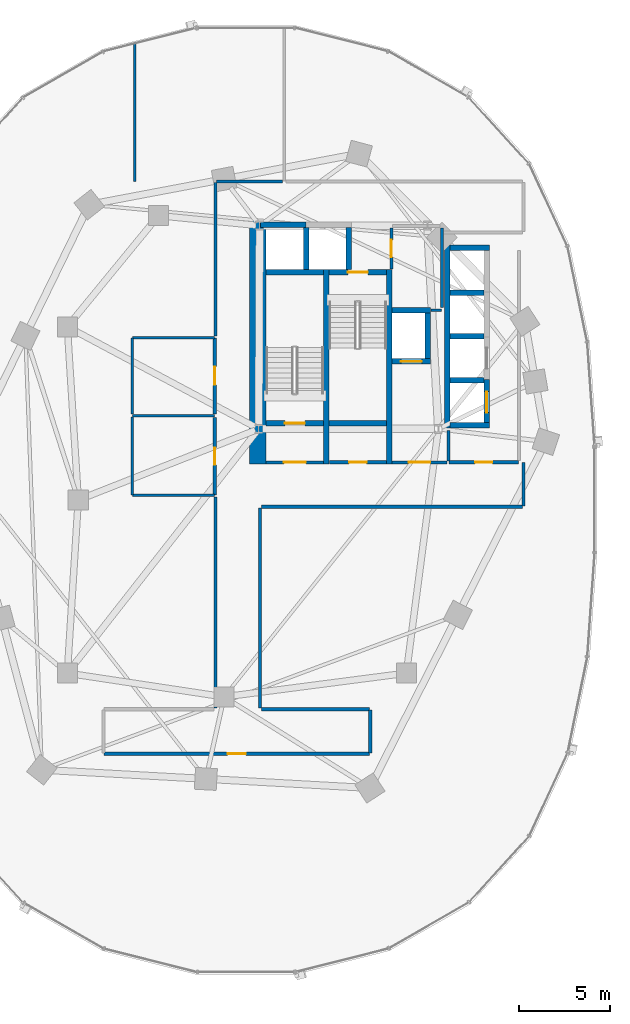
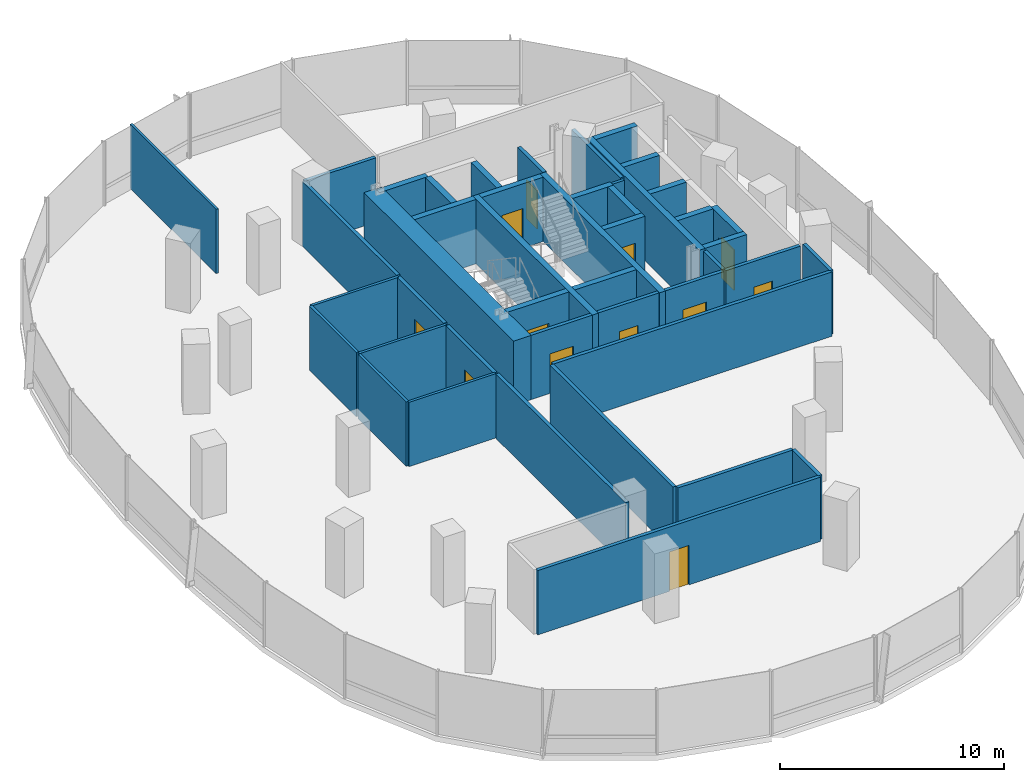
# One storey, part 11 of 21: 45 walls, 12 doors, 12 openings.
"""IFC4 building model written with IfcOpenShell, lengths in metres."""

from ifc_helpers import new_model, si_unit, direction, frame, frame_2d, origin, place, context, subcontext, project, spatial, rectangle, extrude, material, layer, layer_set, type_object, element, fill, save


model = new_model("IFC4")

# Units and contexts
model_context = context("Model", 3, precision=1e-05, world=origin(), true_north=direction((0.0, 1.0)))
body_context = subcontext(model_context, "Body", "Model", "MODEL_VIEW")
ifc_project = project(units=[si_unit("LENGTHUNIT", "METRE"), si_unit("AREAUNIT", "SQUARE_METRE"), si_unit("VOLUMEUNIT", "CUBIC_METRE"), si_unit("PLANEANGLEUNIT", "RADIAN"), si_unit("MASSUNIT", "GRAM", prefix="KILO"), si_unit("THERMODYNAMICTEMPERATUREUNIT", "KELVIN"), si_unit("POWERUNIT", "WATT")], contexts=[model_context])

# Site, building, storey
site_placement = place(None, origin())
site = spatial("IfcSite", under=ifc_project, at=site_placement, CompositionType="ELEMENT")
building_placement = place(site_placement, origin())
building = spatial("IfcBuilding", under=site, at=building_placement, Name="Cundina Bronze Exchange", CompositionType="ELEMENT")
storey_placement = place(building_placement, frame((0.0, 0.0, 69.60009765625)))
storey = spatial("IfcBuildingStorey", under=building, at=storey_placement, Name="L17", CompositionType="ELEMENT", Elevation=69.60009765625)

# Wall
ifc_material_1 = material(Name="Gypsum Fireboard Partition EI120")
ifc_layer_1 = layer(ifc_material_1, 0.179931640625, Name="Gypsum Fireboard Partition EI120")
ifc_layer_set_1 = layer_set([ifc_layer_1], Name="Gypsum Fireboard Partition EI120")
wall_type_1 = type_object("IfcWallType", Name="WL-COR-180", PredefinedType="PARTITIONING", material=ifc_layer_set_1)
wall_1_placement = place(storey_placement, frame((-20.889892578125, 2.14990234375, 0.0), z_axis=(0.0, 0.0, 1.0), x_axis=(0.0, 1.0, 0.0)))
element("IfcWall", 1, at=wall_1_placement, inside=storey, type_object=wall_type_1, Name="L17 W Firefighting Lobby Side Wall", PredefinedType="PARTITIONING", context=body_context, shape_type="SweptSolid", body=[
    extrude(rectangle(XDim=1.650146484375, YDim=0.179931640625, at=frame_2d((0.8251953125, 0.0))), origin(), (0.0, 0.0, 1.0), 3.5),
])

# Wall, opening, door
wall_2_placement = place(storey_placement, frame((-23.97998046875, 2.06005859375, 0.0), z_axis=(0.0, 0.0, 1.0), x_axis=(1.0, 0.0, 0.0)))
wall_2 = element("IfcWall", 2, at=wall_2_placement, inside=storey, type_object=wall_type_1, Name="L17 W Firefighting Lobby Exit Wall", PredefinedType="PARTITIONING", context=body_context, shape_type="SweptSolid", body=[
    extrude(rectangle(XDim=3.0, YDim=0.179931640625, at=frame_2d((1.5, 0.0))), origin(), (0.0, 0.0, 1.0), 3.5),
])
opening_1_placement = place(wall_2_placement, frame((0.89990234375, 0.0, 0.0)))
opening_1 = element("IfcOpeningElement", 3, at=opening_1_placement, cuts=wall_2, Name="Opening DF-01", PredefinedType="OPENING", context=body_context, shape_type="SweptSolid", body=[
    extrude(rectangle(XDim=1.199951171875, YDim=2.14990234375, at=frame_2d((0.60009765625, 1.074951171875))), frame((0.0, 0.099853515625, 0.0), z_axis=(0.0, -1.0, 0.0), x_axis=(1.0, 0.0, 0.0)), (0.0, 0.0, 1.0), 0.199951171875),
])
ifc_material_2 = material(Name="Steel ASTM A36 Painted", Category="steel")
door_type_1 = type_object("IfcDoorType", Name="DR-FFL-1200", OperationType="NOTDEFINED", PredefinedType="DOOR", material=ifc_material_2)
door_1_placement = place(opening_1_placement, origin())
door_1 = element("IfcDoor", 4, at=door_1_placement, inside=storey, type_object=door_type_1, Name="L17 W Firefighting Lobby Door", OperationType="SINGLE_SWING_RIGHT", OverallHeight=2.14990234375, OverallWidth=1.199951171875, PredefinedType="DOOR", context=body_context, shape_type="SweptSolid", body=[
    extrude(rectangle(XDim=1.199951171875, YDim=2.14990234375, at=frame_2d((0.60009765625, 1.074951171875))), frame((0.0, 0.02490234375, 0.0), z_axis=(0.0, -1.0, 0.0), x_axis=(1.0, 0.0, 0.0)), (0.0, 0.0, 1.0), 0.050048828125),
])
fill(opening_1, door_1)

wall_3_placement = place(storey_placement, frame((-30.89990234375, 2.06005859375, 0.0), z_axis=(0.0, 0.0, 1.0), x_axis=(1.0, 0.0, 0.0)))
wall_3 = element("IfcWall", 5, at=wall_3_placement, inside=storey, type_object=wall_type_1, Name="L17 W Stair Vestibule Exit Wall", PredefinedType="PARTITIONING", context=body_context, shape_type="SweptSolid", body=[
    extrude(rectangle(XDim=3.159912109375, YDim=0.179931640625, at=frame_2d((1.580078125, 0.0))), origin(), (0.0, 0.0, 1.0), 3.5),
])
opening_2_placement = place(wall_3_placement, frame((0.97998046875, 0.0, 0.0)))
opening_2 = element("IfcOpeningElement", 6, at=opening_2_placement, cuts=wall_3, Name="Opening DF-01", PredefinedType="OPENING", context=body_context, shape_type="SweptSolid", body=[
    extrude(rectangle(XDim=1.199951171875, YDim=2.14990234375, at=frame_2d((0.60009765625, 1.074951171875))), frame((0.0, 0.099853515625, 0.0), z_axis=(0.0, -1.0, 0.0), x_axis=(1.0, 0.0, 0.0)), (0.0, 0.0, 1.0), 0.199951171875),
])
door_2_placement = place(opening_2_placement, origin())
door_2 = element("IfcDoor", 7, at=door_2_placement, inside=storey, type_object=door_type_1, Name="L17 W Stair Vestibule Door", OperationType="SINGLE_SWING_LEFT", OverallHeight=2.14990234375, OverallWidth=1.199951171875, PredefinedType="DOOR", context=body_context, shape_type="SweptSolid", body=[
    extrude(rectangle(XDim=1.199951171875, YDim=2.14990234375, at=frame_2d((0.60009765625, 1.074951171875))), frame((0.0, 0.02490234375, 0.0), z_axis=(0.0, -1.0, 0.0), x_axis=(1.0, 0.0, 0.0)), (0.0, 0.0, 1.0), 0.050048828125),
])
fill(opening_2, door_2)

wall_4_placement = place(storey_placement, frame((-20.8701171875, 2.070068359375, 0.0), z_axis=(0.0, 0.0, 1.0), x_axis=(1.0, 0.0, 0.0)))
wall_4 = element("IfcWall", 8, at=wall_4_placement, inside=storey, type_object=wall_type_1, Name="L17 Interior Partition 002", PredefinedType="PARTITIONING", context=body_context, shape_type="SweptSolid", body=[
    extrude(rectangle(XDim=3.830078125, YDim=0.179931640625, at=frame_2d((1.9150390625, 0.0))), origin(), (0.0, 0.0, 1.0), 3.5),
])
opening_3_placement = place(wall_4_placement, frame((1.43994140625, 0.0, 0.0)))
opening_3 = element("IfcOpeningElement", 9, at=opening_3_placement, cuts=wall_4, Name="Opening DW-01", PredefinedType="OPENING", context=body_context, shape_type="SweptSolid", body=[
    extrude(rectangle(XDim=0.949951171875, YDim=2.10009765625, at=frame_2d((0.47509765625, 1.050048828125))), frame((0.0, 0.099853515625, 0.0), z_axis=(0.0, -1.0, 0.0), x_axis=(1.0, 0.0, 0.0)), (0.0, 0.0, 1.0), 0.199951171875),
])
ifc_material_3 = material(Name="Solid Andean Oak Timber Grade A", Category="wood")
door_type_2 = type_object("IfcDoorType", Name="DR-WC-950", OperationType="NOTDEFINED", PredefinedType="DOOR", material=ifc_material_3)
door_3_placement = place(opening_3_placement, origin())
door_3 = element("IfcDoor", 10, at=door_3_placement, inside=storey, type_object=door_type_2, Name="L17 Interior Door 002", OperationType="SINGLE_SWING_RIGHT", OverallHeight=2.10009765625, OverallWidth=0.949951171875, PredefinedType="DOOR", context=body_context, shape_type="SweptSolid", body=[
    extrude(rectangle(XDim=0.949951171875, YDim=2.10009765625, at=frame_2d((0.47509765625, 1.050048828125))), frame((0.0, 0.02490234375, 0.0), z_axis=(0.0, -1.0, 0.0), x_axis=(1.0, 0.0, 0.0)), (0.0, 0.0, 1.0), 0.050048828125),
])
fill(opening_3, door_3)

# Wall
wall_5_placement = place(storey_placement, frame((-21.25, 10.570068359375, 0.0), z_axis=(0.0, 0.0, 1.0), x_axis=(0.0, 1.0, 0.0)))
element("IfcWall", 11, at=wall_5_placement, inside=storey, type_object=wall_type_1, Name="L17 Interior Partition 004", PredefinedType="PARTITIONING", context=body_context, shape_type="SweptSolid", body=[
    extrude(rectangle(XDim=4.35986328125, YDim=0.179931640625, at=frame_2d((2.179931640625, 0.0))), origin(), (0.0, 0.0, 1.0), 3.5),
])

# Wall, opening, door
wall_6_placement = place(storey_placement, frame((-27.419921875, 2.070068359375, 0.0), z_axis=(0.0, 0.0, 1.0), x_axis=(1.0, 0.0, 0.0)))
wall_6 = element("IfcWall", 12, at=wall_6_placement, inside=storey, type_object=wall_type_1, Name="L17 Interior Partition 006", PredefinedType="PARTITIONING", context=body_context, shape_type="SweptSolid", body=[
    extrude(rectangle(XDim=3.119873046875, YDim=0.179931640625, at=frame_2d((1.56005859375, 0.0))), origin(), (0.0, 0.0, 1.0), 3.5),
])
opening_4_placement = place(wall_6_placement, frame((1.0849609375, 0.0, 0.0)))
opening_4 = element("IfcOpeningElement", 13, at=opening_4_placement, cuts=wall_6, Name="Opening DW-01", PredefinedType="OPENING", context=body_context, shape_type="SweptSolid", body=[
    extrude(rectangle(XDim=0.949951171875, YDim=2.10009765625, at=frame_2d((0.47509765625, 1.050048828125))), frame((0.0, 0.099853515625, 0.0), z_axis=(0.0, -1.0, 0.0), x_axis=(1.0, 0.0, 0.0)), (0.0, 0.0, 1.0), 0.199951171875),
])
door_4_placement = place(opening_4_placement, origin())
door_4 = element("IfcDoor", 14, at=door_4_placement, inside=storey, type_object=door_type_2, Name="L17 Interior Door 006", OperationType="SINGLE_SWING_RIGHT", OverallHeight=2.10009765625, OverallWidth=0.949951171875, PredefinedType="DOOR", context=body_context, shape_type="SweptSolid", body=[
    extrude(rectangle(XDim=0.949951171875, YDim=2.10009765625, at=frame_2d((0.47509765625, 1.050048828125))), frame((0.0, 0.02490234375, 0.0), z_axis=(0.0, -1.0, 0.0), x_axis=(1.0, 0.0, 0.0)), (0.0, 0.0, 1.0), 0.050048828125),
])
fill(opening_4, door_4)

wall_7_placement = place(storey_placement, frame((-24.02001953125, 12.669921875, 0.0), z_axis=(0.0, 0.0, 1.0), x_axis=(0.0, 1.0, 0.0)))
wall_7 = element("IfcWall", 15, at=wall_7_placement, inside=storey, type_object=wall_type_1, Name="L17 Interior Partition 007", PredefinedType="PARTITIONING", context=body_context, shape_type="SweptSolid", body=[
    extrude(rectangle(XDim=2.260009765625, YDim=0.179931640625, at=frame_2d((1.1298828125, 0.0))), origin(), (0.0, 0.0, 1.0), 3.5),
])
opening_5_placement = place(wall_7_placement, frame((0.655029296875, 0.0, 0.0)))
opening_5 = element("IfcOpeningElement", 16, at=opening_5_placement, cuts=wall_7, Name="Opening DW-01", PredefinedType="OPENING", context=body_context, shape_type="SweptSolid", body=[
    extrude(rectangle(XDim=0.949951171875, YDim=2.10009765625, at=frame_2d((0.47509765625, 1.050048828125))), frame((0.0, 0.099853515625, 0.0), z_axis=(0.0, -1.0, 0.0), x_axis=(1.0, 0.0, 0.0)), (0.0, 0.0, 1.0), 0.199951171875),
])
door_5_placement = place(opening_5_placement, origin())
door_5 = element("IfcDoor", 17, at=door_5_placement, inside=storey, type_object=door_type_2, Name="L17 Interior Door 007", OperationType="SINGLE_SWING_RIGHT", OverallHeight=2.10009765625, OverallWidth=0.949951171875, PredefinedType="DOOR", context=body_context, shape_type="SweptSolid", body=[
    extrude(rectangle(XDim=0.949951171875, YDim=2.10009765625, at=frame_2d((0.47509765625, 1.050048828125))), frame((0.0, 0.02490234375, 0.0), z_axis=(0.0, -1.0, 0.0), x_axis=(1.0, 0.0, 0.0)), (0.0, 0.0, 1.0), 0.050048828125),
])
fill(opening_5, door_5)

wall_8_placement = place(storey_placement, frame((-33.719970703125, 0.27001953125, 0.0), z_axis=(0.0, 0.0, 1.0), x_axis=(0.0, 1.0, 0.0)))
wall_8 = element("IfcWall", 18, at=wall_8_placement, inside=storey, type_object=wall_type_1, Name="L17 Interior Partition 013", PredefinedType="PARTITIONING", context=body_context, shape_type="SweptSolid", body=[
    extrude(rectangle(XDim=4.260009765625, YDim=0.179931640625, at=frame_2d((2.1298828125, 0.0))), origin(), (0.0, 0.0, 1.0), 3.5),
])
opening_6_placement = place(wall_8_placement, frame((1.655029296875, 0.0, 0.0)))
opening_6 = element("IfcOpeningElement", 19, at=opening_6_placement, cuts=wall_8, Name="Opening DW-01", PredefinedType="OPENING", context=body_context, shape_type="SweptSolid", body=[
    extrude(rectangle(XDim=0.949951171875, YDim=2.10009765625, at=frame_2d((0.47509765625, 1.050048828125))), frame((0.0, 0.099853515625, 0.0), z_axis=(0.0, -1.0, 0.0), x_axis=(1.0, 0.0, 0.0)), (0.0, 0.0, 1.0), 0.199951171875),
])
door_6_placement = place(opening_6_placement, origin())
door_6 = element("IfcDoor", 20, at=door_6_placement, inside=storey, type_object=door_type_2, Name="L17 Interior Door 013", OperationType="SINGLE_SWING_RIGHT", OverallHeight=2.10009765625, OverallWidth=0.949951171875, PredefinedType="DOOR", context=body_context, shape_type="SweptSolid", body=[
    extrude(rectangle(XDim=0.949951171875, YDim=2.10009765625, at=frame_2d((0.47509765625, 1.050048828125))), frame((0.0, 0.02490234375, 0.0), z_axis=(0.0, -1.0, 0.0), x_axis=(1.0, 0.0, 0.0)), (0.0, 0.0, 1.0), 0.050048828125),
])
fill(opening_6, door_6)

wall_9_placement = place(storey_placement, frame((-33.719970703125, 4.72998046875, 0.0), z_axis=(0.0, 0.0, 1.0), x_axis=(0.0, 1.0, 0.0)))
wall_9 = element("IfcWall", 21, at=wall_9_placement, inside=storey, type_object=wall_type_1, Name="L17 Interior Partition 014", PredefinedType="PARTITIONING", context=body_context, shape_type="SweptSolid", body=[
    extrude(rectangle(XDim=4.159912109375, YDim=0.179931640625, at=frame_2d((2.080078125, 0.0))), origin(), (0.0, 0.0, 1.0), 3.5),
])
opening_7_placement = place(wall_9_placement, frame((1.580078125, 0.0, 0.0)))
opening_7 = element("IfcOpeningElement", 22, at=opening_7_placement, cuts=wall_9, Name="Opening DO-01", PredefinedType="OPENING", context=body_context, shape_type="SweptSolid", body=[
    extrude(rectangle(XDim=1.0, YDim=2.14990234375, at=frame_2d((0.5, 1.074951171875))), frame((0.0, 0.099853515625, 0.0), z_axis=(0.0, -1.0, 0.0), x_axis=(1.0, 0.0, 0.0)), (0.0, 0.0, 1.0), 0.199951171875),
])
door_type_3 = type_object("IfcDoorType", Name="DR-OFF-1000", OperationType="NOTDEFINED", PredefinedType="DOOR", material=ifc_material_3)
door_7_placement = place(opening_7_placement, origin())
door_7 = element("IfcDoor", 23, at=door_7_placement, inside=storey, type_object=door_type_3, Name="L17 Interior Door 014", OperationType="SINGLE_SWING_RIGHT", OverallHeight=2.14990234375, OverallWidth=1.0, PredefinedType="DOOR", context=body_context, shape_type="SweptSolid", body=[
    extrude(rectangle(XDim=1.0, YDim=2.14990234375, at=frame_2d((0.5, 1.074951171875))), frame((0.0, 0.02490234375, 0.0), z_axis=(0.0, -1.0, 0.0), x_axis=(1.0, 0.0, 0.0)), (0.0, 0.0, 1.0), 0.050048828125),
])
fill(opening_7, door_7)

wall_10_placement = place(storey_placement, frame((-39.778564453125, -13.919921875, 0.0), z_axis=(0.0, 0.0, 1.0), x_axis=(1.0, 0.0, 0.0)))
wall_10 = element("IfcWall", 24, at=wall_10_placement, inside=storey, type_object=wall_type_1, Name="L17 Interior Partition 017", PredefinedType="PARTITIONING", context=body_context, shape_type="SweptSolid", body=[
    extrude(rectangle(XDim=14.55712890625, YDim=0.179931640625, at=frame_2d((7.278564453125, 0.0))), origin(), (0.0, 0.0, 1.0), 3.5),
])
opening_8_placement = place(wall_10_placement, frame((6.778564453125, 0.0, 0.0)))
opening_8 = element("IfcOpeningElement", 25, at=opening_8_placement, cuts=wall_10, Name="Opening DO-01", PredefinedType="OPENING", context=body_context, shape_type="SweptSolid", body=[
    extrude(rectangle(XDim=1.0, YDim=2.14990234375, at=frame_2d((0.5, 1.074951171875))), frame((0.0, 0.099853515625, 0.0), z_axis=(0.0, -1.0, 0.0), x_axis=(1.0, 0.0, 0.0)), (0.0, 0.0, 1.0), 0.199951171875),
])
door_8_placement = place(opening_8_placement, origin())
door_8 = element("IfcDoor", 26, at=door_8_placement, inside=storey, type_object=door_type_3, Name="L17 Interior Door 017", OperationType="SINGLE_SWING_LEFT", OverallHeight=2.14990234375, OverallWidth=1.0, PredefinedType="DOOR", context=body_context, shape_type="SweptSolid", body=[
    extrude(rectangle(XDim=1.0, YDim=2.14990234375, at=frame_2d((0.5, 1.074951171875))), frame((0.0, 0.02490234375, 0.0), z_axis=(0.0, -1.0, 0.0), x_axis=(1.0, 0.0, 0.0)), (0.0, 0.0, 1.0), 0.050048828125),
])
fill(opening_8, door_8)

# Walls
wall_11_placement = place(storey_placement, frame((-31.14990234375, -0.3701171875, 0.0), z_axis=(0.0, 0.0, 1.0), x_axis=(1.0, 0.0, 0.0)))
element("IfcWall", 27, at=wall_11_placement, inside=storey, type_object=wall_type_1, Name="L17 Interior Partition 018", PredefinedType="PARTITIONING", context=body_context, shape_type="SweptSolid", body=[
    extrude(rectangle(XDim=14.328369140625, YDim=0.179931640625, at=frame_2d((7.1640625, 0.0))), origin(), (0.0, 0.0, 1.0), 3.5),
])
wall_12_placement = place(storey_placement, frame((-33.669921875, 0.15869140625, 0.0), z_axis=(0.0, 0.0, 1.0), x_axis=(0.0, -1.0, 0.0)))
element("IfcWall", 28, at=wall_12_placement, inside=storey, type_object=wall_type_1, Name="L17 Interior Partition 020", PredefinedType="PARTITIONING", context=body_context, shape_type="SweptSolid", body=[
    extrude(rectangle(XDim=11.55859375, YDim=0.179931640625, at=frame_2d((5.779296875, 0.0))), origin(), (0.0, 0.0, 1.0), 3.5),
])
wall_13_placement = place(storey_placement, frame((-31.22998046875, -11.39990234375, 0.0), z_axis=(0.0, 0.0, 1.0), x_axis=(0.0, 1.0, 0.0)))
element("IfcWall", 29, at=wall_13_placement, inside=storey, type_object=wall_type_1, Name="L17 Interior Partition 021", PredefinedType="PARTITIONING", context=body_context, shape_type="SweptSolid", body=[
    extrude(rectangle(XDim=10.949951171875, YDim=0.179931640625, at=frame_2d((5.47509765625, 0.0))), origin(), (0.0, 0.0, 1.0), 3.5),
])
wall_14_placement = place(storey_placement, frame((-33.669921875, 17.428466796875, 0.0), z_axis=(0.0, 0.0, 1.0), x_axis=(0.0, -1.0, 0.0)))
element("IfcWall", 30, at=wall_14_placement, inside=storey, type_object=wall_type_1, Name="L17 Interior Partition 022", PredefinedType="PARTITIONING", context=body_context, shape_type="SweptSolid", body=[
    extrude(rectangle(XDim=8.427001953125, YDim=0.179931640625, at=frame_2d((4.21337890625, 0.0))), origin(), (0.0, 0.0, 1.0), 3.5),
])
wall_15_placement = place(storey_placement, frame((-25.221435546875, -11.47998046875, 0.0), z_axis=(0.0, 0.0, 1.0), x_axis=(-1.0, 0.0, 0.0)))
element("IfcWall", 31, at=wall_15_placement, inside=storey, type_object=wall_type_1, Name="L17 Interior Partition 024", PredefinedType="PARTITIONING", context=body_context, shape_type="SweptSolid", body=[
    extrude(rectangle(XDim=5.928466796875, YDim=0.179931640625, at=frame_2d((2.96435546875, 0.0))), origin(), (0.0, 0.0, 1.0), 3.5),
])
wall_16_placement = place(storey_placement, frame((-29.989990234375, 17.469970703125, 0.0), z_axis=(0.0, 0.0, 1.0), x_axis=(-1.0, 0.0, 0.0)))
element("IfcWall", 32, at=wall_16_placement, inside=storey, type_object=wall_type_1, Name="L17 Interior Partition 026", PredefinedType="PARTITIONING", context=body_context, shape_type="SweptSolid", body=[
    extrude(rectangle(XDim=3.638427734375, YDim=0.179931640625, at=frame_2d((1.8193359375, 0.0))), origin(), (0.0, 0.0, 1.0), 3.5),
])
wall_17_placement = place(storey_placement, frame((-16.780029296875, -0.32861328125, 0.0), z_axis=(0.0, 0.0, 1.0), x_axis=(0.0, 1.0, 0.0)))
element("IfcWall", 33, at=wall_17_placement, inside=storey, type_object=wall_type_1, Name="L17 Interior Partition 028", PredefinedType="PARTITIONING", context=body_context, shape_type="SweptSolid", body=[
    extrude(rectangle(XDim=2.38720703125, YDim=0.179931640625, at=frame_2d((1.193603515625, 0.0))), origin(), (0.0, 0.0, 1.0), 3.5),
])
wall_18_placement = place(storey_placement, frame((-25.179931640625, -13.87841796875, 0.0), z_axis=(0.0, 0.0, 1.0), x_axis=(0.0, 1.0, 0.0)))
element("IfcWall", 34, at=wall_18_placement, inside=storey, type_object=wall_type_1, Name="L17 Interior Partition 030", PredefinedType="PARTITIONING", context=body_context, shape_type="SweptSolid", body=[
    extrude(rectangle(XDim=2.35693359375, YDim=0.179931640625, at=frame_2d((1.178466796875, 0.0))), origin(), (0.0, 0.0, 1.0), 3.5),
])
ifc_material_4 = material(Name="Concrete C60/75", Category="concrete")
ifc_layer_2 = layer(ifc_material_4, 0.89990234375, Name="Concrete C60/75", Category="concrete")
ifc_layer_set_2 = layer_set([ifc_layer_2], Name="Concrete C60/75")
wall_type_2 = type_object("IfcWallType", Name="WL-CORE-900", PredefinedType="SHEAR", material=ifc_layer_set_2)
wall_19_placement = place(storey_placement, frame((-31.35009765625, 1.969970703125, 0.0), z_axis=(0.0, 0.0, 1.0), x_axis=(0.0, 1.0, 0.0)))
element("IfcWall", 35, at=wall_19_placement, inside=storey, type_object=wall_type_2, Name="L17 W Primary Core Shear Spine Wall", PredefinedType="SHEAR", context=body_context, shape_type="SweptSolid", body=[
    extrude(rectangle(XDim=13.330078125, YDim=0.89990234375, at=frame_2d((6.6650390625, 0.0))), origin(), (0.0, 0.0, 1.0), 3.5),
])
ifc_material_5 = material(Name="Gypsum Acoustic Partition EI60")
ifc_layer_3 = layer(ifc_material_5, 0.125, Name="Gypsum Acoustic Partition EI60")
ifc_layer_set_3 = layer_set([ifc_layer_3], Name="Gypsum Acoustic Partition EI60")
wall_type_3 = type_object("IfcWallType", Name="WL-OFF-125", PredefinedType="PARTITIONING", material=ifc_layer_set_3)
wall_20_placement = place(storey_placement, frame((-38.10009765625, 17.469970703125, 0.0), z_axis=(0.0, 0.0, 1.0), x_axis=(0.0, 1.0, 0.0)))
element("IfcWall", 36, at=wall_20_placement, inside=storey, type_object=wall_type_3, Name="L17 Interior Partition 015", PredefinedType="PARTITIONING", context=body_context, shape_type="SweptSolid", body=[
    extrude(rectangle(XDim=7.65625, YDim=0.125, at=frame_2d((3.828125, 0.0))), origin(), (0.0, 0.0, 1.0), 3.5),
])
ifc_material_6 = material(Name="Concrete C50/60", Category="concrete")
ifc_layer_4 = layer(ifc_material_6, 0.300048828125, Name="Concrete C50/60", Category="concrete")
ifc_layer_set_4 = layer_set([ifc_layer_4], Name="Concrete C50/60")
wall_type_4 = type_object("IfcWallType", Name="WL-SHFT-300", PredefinedType="SHEAR", material=ifc_layer_set_4)
for number, where, z_axis, x_axis, name in (
    (37, (-27.590087890625, 1.969970703125, 0.0), (0.0, 0.0, 1.0), (0.0, 1.0, 0.0), "L17 W Stair Shaft Dividing Shear Wall"),
    (38, (-24.1298828125, 1.969970703125, 0.0), (0.0, 0.0, 1.0), (0.0, 1.0, 0.0), "L17 W Stair 2 East Shear Wall"),
):
    element("IfcWall", number, at=place(storey_placement, frame(where, z_axis=z_axis, x_axis=x_axis)), inside=storey, type_object=wall_type_4, Name=name, PredefinedType="SHEAR", context=body_context, shape_type="SweptSolid", body=[
        extrude(rectangle(XDim=10.679931640625, YDim=0.300048828125, at=frame_2d((5.33984375, 0.0))), origin(), (0.0, 0.0, 1.0), 3.5),
    ])

# Wall, opening, door
wall_21_placement = place(storey_placement, frame((-30.89990234375, 4.199951171875, 0.0), z_axis=(0.0, 0.0, 1.0), x_axis=(1.0, 0.0, 0.0)))
wall_21 = element("IfcWall", 39, at=wall_21_placement, inside=storey, type_object=wall_type_4, Name="L17 Stair W1 Landing Wall", PredefinedType="SHEAR", context=body_context, shape_type="SweptSolid", body=[
    extrude(rectangle(XDim=3.159912109375, YDim=0.300048828125, at=frame_2d((1.580078125, 0.0))), origin(), (0.0, 0.0, 1.0), 3.5),
])
opening_9_placement = place(wall_21_placement, frame((1.030029296875, 0.0, 0.0)))
opening_9 = element("IfcOpeningElement", 40, at=opening_9_placement, cuts=wall_21, Name="Opening DS-01", PredefinedType="OPENING", context=body_context, shape_type="SweptSolid", body=[
    extrude(rectangle(XDim=1.10009765625, YDim=2.14990234375, at=frame_2d((0.550048828125, 1.074951171875))), frame((0.0, 0.159912109375, 0.0), z_axis=(0.0, -1.0, 0.0), x_axis=(1.0, 0.0, 0.0)), (0.0, 0.0, 1.0), 0.320068359375),
])
door_type_4 = type_object("IfcDoorType", Name="DR-STR-1100", OperationType="NOTDEFINED", PredefinedType="DOOR", material=ifc_material_2)
door_9_placement = place(opening_9_placement, origin())
door_9 = element("IfcDoor", 41, at=door_9_placement, inside=storey, type_object=door_type_4, Name="L17 Smokeproof Stair W1 Door", OperationType="SINGLE_SWING_RIGHT", OverallHeight=2.14990234375, OverallWidth=1.10009765625, PredefinedType="DOOR", context=body_context, shape_type="SweptSolid", body=[
    extrude(rectangle(XDim=1.10009765625, YDim=2.14990234375, at=frame_2d((0.550048828125, 1.074951171875))), frame((0.0, 0.02490234375, 0.0), z_axis=(0.0, -1.0, 0.0), x_axis=(1.0, 0.0, 0.0)), (0.0, 0.0, 1.0), 0.050048828125),
])
fill(opening_9, door_9)

# Wall
wall_22_placement = place(storey_placement, frame((-30.89990234375, 12.5, 0.0), z_axis=(0.0, 0.0, 1.0), x_axis=(1.0, 0.0, 0.0)))
element("IfcWall", 42, at=wall_22_placement, inside=storey, type_object=wall_type_4, Name="L17 Stair W1 Far Shaft Wall", PredefinedType="SHEAR", context=body_context, shape_type="SweptSolid", body=[
    extrude(rectangle(XDim=3.159912109375, YDim=0.300048828125, at=frame_2d((1.580078125, 0.0))), origin(), (0.0, 0.0, 1.0), 3.5),
])

# Wall, opening, door
wall_23_placement = place(storey_placement, frame((-27.43994140625, 12.5, 0.0), z_axis=(0.0, 0.0, 1.0), x_axis=(1.0, 0.0, 0.0)))
wall_23 = element("IfcWall", 43, at=wall_23_placement, inside=storey, type_object=wall_type_4, Name="L17 Stair W2 Landing Wall", PredefinedType="SHEAR", context=body_context, shape_type="SweptSolid", body=[
    extrude(rectangle(XDim=3.159912109375, YDim=0.300048828125, at=frame_2d((1.580078125, 0.0))), origin(), (0.0, 0.0, 1.0), 3.5),
])
opening_10_placement = place(wall_23_placement, frame((1.030029296875, 0.0, 0.0)))
opening_10 = element("IfcOpeningElement", 44, at=opening_10_placement, cuts=wall_23, Name="Opening DS-01", PredefinedType="OPENING", context=body_context, shape_type="SweptSolid", body=[
    extrude(rectangle(XDim=1.10009765625, YDim=2.14990234375, at=frame_2d((0.550048828125, 1.074951171875))), frame((0.0, 0.159912109375, 0.0), z_axis=(0.0, -1.0, 0.0), x_axis=(1.0, 0.0, 0.0)), (0.0, 0.0, 1.0), 0.320068359375),
])
door_10_placement = place(opening_10_placement, origin())
door_10 = element("IfcDoor", 45, at=door_10_placement, inside=storey, type_object=door_type_4, Name="L17 Smokeproof Stair W2 Door", OperationType="SINGLE_SWING_LEFT", OverallHeight=2.14990234375, OverallWidth=1.10009765625, PredefinedType="DOOR", context=body_context, shape_type="SweptSolid", body=[
    extrude(rectangle(XDim=1.10009765625, YDim=2.14990234375, at=frame_2d((0.550048828125, 1.074951171875))), frame((0.0, 0.02490234375, 0.0), z_axis=(0.0, -1.0, 0.0), x_axis=(1.0, 0.0, 0.0)), (0.0, 0.0, 1.0), 0.050048828125),
])
fill(opening_10, door_10)

# Wall
wall_24_placement = place(storey_placement, frame((-27.43994140625, 4.199951171875, 0.0), z_axis=(0.0, 0.0, 1.0), x_axis=(1.0, 0.0, 0.0)))
element("IfcWall", 46, at=wall_24_placement, inside=storey, type_object=wall_type_4, Name="L17 Stair W2 Far Shaft Wall", PredefinedType="SHEAR", context=body_context, shape_type="SweptSolid", body=[
    extrude(rectangle(XDim=3.159912109375, YDim=0.300048828125, at=frame_2d((1.580078125, 0.0))), origin(), (0.0, 0.0, 1.0), 3.5),
])

# Wall, opening, door
wall_25_placement = place(storey_placement, frame((-23.97998046875, 7.60009765625, 0.0), z_axis=(0.0, 0.0, 1.0), x_axis=(1.0, 0.0, 0.0)))
wall_25 = element("IfcWall", 47, at=wall_25_placement, inside=storey, type_object=wall_type_4, Name="L17 FFL-W Hoistway Front Wall", PredefinedType="SHEAR", context=body_context, shape_type="SweptSolid", body=[
    extrude(rectangle(XDim=2.10009765625, YDim=0.300048828125, at=frame_2d((1.050048828125, 0.0))), origin(), (0.0, 0.0, 1.0), 3.5),
])
opening_11_placement = place(wall_25_placement, frame((0.47509765625, 0.0, 0.0)))
opening_11 = element("IfcOpeningElement", 48, at=opening_11_placement, cuts=wall_25, Name="Opening LD-01", PredefinedType="OPENING", context=body_context, shape_type="SweptSolid", body=[
    extrude(rectangle(XDim=1.14990234375, YDim=2.199951171875, at=frame_2d((0.574951171875, 1.10009765625))), frame((0.0, 0.159912109375, 0.0), z_axis=(0.0, -1.0, 0.0), x_axis=(1.0, 0.0, 0.0)), (0.0, 0.0, 1.0), 0.320068359375),
])
door_type_5 = type_object("IfcDoorType", Name="DR-LND-1150", OperationType="NOTDEFINED", PredefinedType="TRAPDOOR", material=ifc_material_2)
door_11_placement = place(opening_11_placement, origin())
door_11 = element("IfcDoor", 49, at=door_11_placement, inside=storey, type_object=door_type_5, Name="L17 FFL-W Sliding Landing Door", OperationType="SLIDING_TO_LEFT", OverallHeight=2.199951171875, OverallWidth=1.14990234375, PredefinedType="TRAPDOOR", context=body_context, shape_type="SweptSolid", body=[
    extrude(rectangle(XDim=1.14990234375, YDim=2.199951171875, at=frame_2d((0.574951171875, 1.10009765625))), frame((0.0, 0.02490234375, 0.0), z_axis=(0.0, -1.0, 0.0), x_axis=(1.0, 0.0, 0.0)), (0.0, 0.0, 1.0), 0.050048828125),
])
fill(opening_11, door_11)

# Walls
wall_26_placement = place(storey_placement, frame((-23.97998046875, 10.39990234375, 0.0), z_axis=(0.0, 0.0, 1.0), x_axis=(1.0, 0.0, 0.0)))
element("IfcWall", 50, at=wall_26_placement, inside=storey, type_object=wall_type_4, Name="L17 FFL-W Hoistway Back Wall", PredefinedType="SHEAR", context=body_context, shape_type="SweptSolid", body=[
    extrude(rectangle(XDim=2.10009765625, YDim=0.300048828125, at=frame_2d((1.050048828125, 0.0))), origin(), (0.0, 0.0, 1.0), 3.5),
])
for number, where, z_axis, x_axis, name in (
    (51, (-22.030029296875, 7.75, 0.0), (0.0, 0.0, 1.0), (0.0, 1.0, 0.0), "L17 FFL-W Hoistway Side Wall"),
    (52, (-31.199951171875, 15.10009765625, 0.0), (0.0, 0.0, 1.0), (1.0, 0.0, 0.0), "L17 PH-W1 Hoistway Front Wall"),
):
    element("IfcWall", number, at=place(storey_placement, frame(where, z_axis=z_axis, x_axis=x_axis)), inside=storey, type_object=wall_type_4, Name=name, PredefinedType="SHEAR", context=body_context, shape_type="SweptSolid", body=[
        extrude(rectangle(XDim=2.5, YDim=0.300048828125, at=frame_2d((1.25, 0.0))), origin(), (0.0, 0.0, 1.0), 3.5),
    ])
for number, where, z_axis, x_axis, name in (
    (53, (-28.699951171875, 12.64990234375, 0.0), (0.0, 0.0, 1.0), (0.0, 1.0, 0.0), "L17 PH-W1 Hoistway Divider Wall"),
    (54, (-26.35009765625, 12.64990234375, 0.0), (0.0, 0.0, 1.0), (0.0, 1.0, 0.0), "L17 PH-W2 Hoistway Divider Wall"),
):
    element("IfcWall", number, at=place(storey_placement, frame(where, z_axis=z_axis, x_axis=x_axis)), inside=storey, type_object=wall_type_4, Name=name, PredefinedType="SHEAR", context=body_context, shape_type="SweptSolid", body=[
        extrude(rectangle(XDim=2.300048828125, YDim=0.300048828125, at=frame_2d((1.14990234375, 0.0))), origin(), (0.0, 0.0, 1.0), 3.5),
    ])
wall_27_placement = place(storey_placement, frame((-20.949951171875, 3.949951171875, 0.0), z_axis=(0.0, 0.0, 1.0), x_axis=(0.0, 1.0, 0.0)))
element("IfcWall", 55, at=wall_27_placement, inside=storey, type_object=wall_type_4, Name="L17 W Passenger Bank Hoistway Back Wall", PredefinedType="SHEAR", context=body_context, shape_type="SweptSolid", body=[
    extrude(rectangle(XDim=10.050048828125, YDim=0.300048828125, at=frame_2d((5.02490234375, 0.0))), origin(), (0.0, 0.0, 1.0), 3.5),
])
for number, where, z_axis, x_axis, name in (
    (56, (-20.800048828125, 4.10009765625, 0.0), (0.0, 0.0, 1.0), (1.0, 0.0, 0.0), "L17 W Passenger Bank South Cap Wall"),
    (57, (-20.800048828125, 13.85009765625, 0.0), (0.0, 0.0, 1.0), (1.0, 0.0, 0.0), "L17 W Passenger Bank North Cap Wall"),
):
    element("IfcWall", number, at=place(storey_placement, frame(where, z_axis=z_axis, x_axis=x_axis)), inside=storey, type_object=wall_type_4, Name=name, PredefinedType="SHEAR", context=body_context, shape_type="SweptSolid", body=[
        extrude(rectangle(XDim=2.150146484375, YDim=0.300048828125, at=frame_2d((1.0751953125, 0.0))), origin(), (0.0, 0.0, 1.0), 3.5),
    ])
for number, where, z_axis, x_axis, name in (
    (58, (-20.800048828125, 6.574951171875, 0.0), (0.0, 0.0, 1.0), (1.0, 0.0, 0.0), "L17 W Passenger Hoistway Divider 1"),
    (59, (-20.800048828125, 8.97509765625, 0.0), (0.0, 0.0, 1.0), (1.0, 0.0, 0.0), "L17 W Passenger Hoistway Divider 2"),
    (60, (-20.800048828125, 11.375, 0.0), (0.0, 0.0, 1.0), (1.0, 0.0, 0.0), "L17 W Passenger Hoistway Divider 3"),
):
    element("IfcWall", number, at=place(storey_placement, frame(where, z_axis=z_axis, x_axis=x_axis)), inside=storey, type_object=wall_type_4, Name=name, PredefinedType="SHEAR", context=body_context, shape_type="SweptSolid", body=[
        extrude(rectangle(XDim=1.85009765625, YDim=0.300048828125, at=frame_2d((0.925048828125, 0.0))), origin(), (0.0, 0.0, 1.0), 3.5),
    ])

# Wall, opening, door
wall_28_placement = place(storey_placement, frame((-18.800048828125, 4.1298828125, 0.0), z_axis=(0.0, 0.0, 1.0), x_axis=(0.0, 1.0, 0.0)))
wall_28 = element("IfcWall", 61, at=wall_28_placement, inside=storey, type_object=wall_type_4, Name="L17 PL-W2 Hoistway Front Wall", PredefinedType="SHEAR", context=body_context, shape_type="SweptSolid", body=[
    extrude(rectangle(XDim=2.490234375, YDim=0.300048828125, at=frame_2d((1.2451171875, 0.0))), origin(), (0.0, 0.0, 1.0), 3.5),
])
opening_12_placement = place(wall_28_placement, frame((0.669921875, 0.0, 0.0)))
opening_12 = element("IfcOpeningElement", 62, at=opening_12_placement, cuts=wall_28, Name="Opening LD-01", PredefinedType="OPENING", context=body_context, shape_type="SweptSolid", body=[
    extrude(rectangle(XDim=1.14990234375, YDim=2.199951171875, at=frame_2d((0.574951171875, 1.10009765625))), frame((0.0, 0.159912109375, 0.0), z_axis=(0.0, -1.0, 0.0), x_axis=(1.0, 0.0, 0.0)), (0.0, 0.0, 1.0), 0.320068359375),
])
door_12_placement = place(opening_12_placement, origin())
door_12 = element("IfcDoor", 63, at=door_12_placement, inside=storey, type_object=door_type_5, Name="L17 PL-W2 Sliding Landing Door", OperationType="SLIDING_TO_LEFT", OverallHeight=2.199951171875, OverallWidth=1.14990234375, PredefinedType="TRAPDOOR", context=body_context, shape_type="SweptSolid", body=[
    extrude(rectangle(XDim=1.14990234375, YDim=2.199951171875, at=frame_2d((0.574951171875, 1.10009765625))), frame((0.0, 0.02490234375, 0.0), z_axis=(0.0, -1.0, 0.0), x_axis=(1.0, 0.0, 0.0)), (0.0, 0.0, 1.0), 0.050048828125),
])
fill(opening_12, door_12)

# Walls
ifc_material_7 = material(Name="Moisture-Resistant Masonry Block Grade M15", Category="masonry")
ifc_layer_5 = layer(ifc_material_7, 0.139892578125, Name="Moisture-Resistant Masonry Block Grade M15", Category="masonry")
ifc_layer_set_5 = layer_set([ifc_layer_5], Name="Moisture-Resistant Masonry Block Grade M15")
wall_type_5 = type_object("IfcWallType", Name="WL-WET-140", PredefinedType="PARTITIONING", material=ifc_layer_set_5)
wall_29_placement = place(storey_placement, frame((-21.860107421875, 10.39990234375, 0.0), z_axis=(0.0, 0.0, 1.0), x_axis=(1.0, 0.0, 0.0)))
element("IfcWall", 64, at=wall_29_placement, inside=storey, type_object=wall_type_5, Name="L17 Interior Partition 003", PredefinedType="PARTITIONING", context=body_context, shape_type="SweptSolid", body=[
    extrude(rectangle(XDim=0.590087890625, YDim=0.139892578125, at=frame_2d((0.294921875, 0.0))), origin(), (0.0, 0.0, 1.0), 3.5),
])
wall_30_placement = place(storey_placement, frame((-38.239990234375, 0.27001953125, 0.0), z_axis=(0.0, 0.0, 1.0), x_axis=(0.0, 1.0, 0.0)))
element("IfcWall", 65, at=wall_30_placement, inside=storey, type_object=wall_type_5, Name="L17 Interior Partition 008", PredefinedType="PARTITIONING", context=body_context, shape_type="SweptSolid", body=[
    extrude(rectangle(XDim=4.27490234375, YDim=0.139892578125, at=frame_2d((2.137451171875, 0.0))), origin(), (0.0, 0.0, 1.0), 3.5),
])
wall_31_placement = place(storey_placement, frame((-38.239990234375, 4.715087890625, 0.0), z_axis=(0.0, 0.0, 1.0), x_axis=(0.0, 1.0, 0.0)))
element("IfcWall", 66, at=wall_31_placement, inside=storey, type_object=wall_type_5, Name="L17 Interior Partition 009", PredefinedType="PARTITIONING", context=body_context, shape_type="SweptSolid", body=[
    extrude(rectangle(XDim=4.1748046875, YDim=0.139892578125, at=frame_2d((2.08740234375, 0.0))), origin(), (0.0, 0.0, 1.0), 3.5),
])
for number, where, z_axis, x_axis, name in (
    (67, (-38.219970703125, 0.25, 0.0), (0.0, 0.0, 1.0), (1.0, 0.0, 0.0), "L17 Interior Partition 010"),
    (68, (-38.219970703125, 4.6298828125, 0.0), (0.0, 0.0, 1.0), (1.0, 0.0, 0.0), "L17 Interior Partition 011"),
    (69, (-38.219970703125, 8.909912109375, 0.0), (0.0, 0.0, 1.0), (1.0, 0.0, 0.0), "L17 Interior Partition 012"),
):
    element("IfcWall", number, at=place(storey_placement, frame(where, z_axis=z_axis, x_axis=x_axis)), inside=storey, type_object=wall_type_5, Name=name, PredefinedType="PARTITIONING", context=body_context, shape_type="SweptSolid", body=[
        extrude(rectangle(XDim=4.47998046875, YDim=0.139892578125, at=frame_2d((2.239990234375, 0.0))), origin(), (0.0, 0.0, 1.0), 3.5),
    ])

save(model, "model.ifc")
